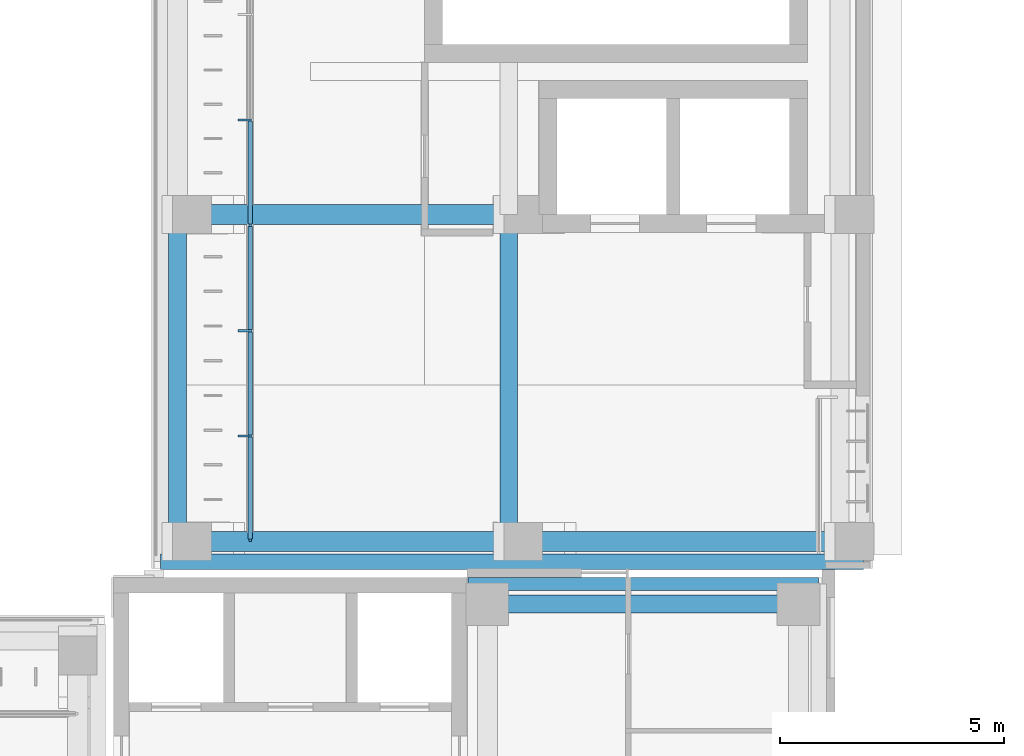
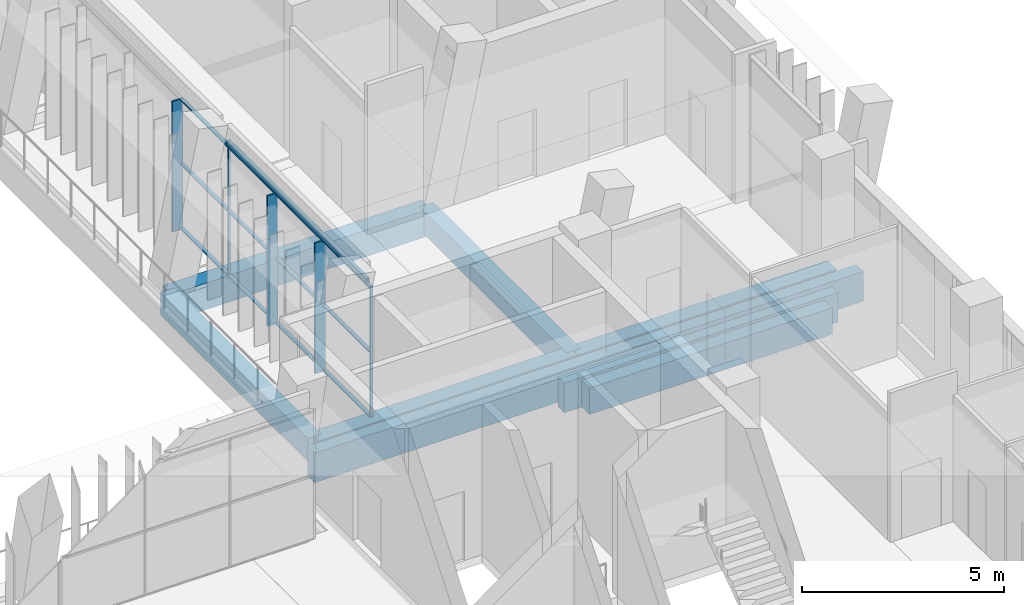
# One storey, part 39 of 92: 17 members, 9 beams, 1 element without a shape of its own.
"""IFC4 building model written with IfcOpenShell, lengths in metres."""

from ifc_helpers import new_model, si_unit, direction, frame, origin, origin_2d, place, context, subcontext, project, spatial, rectangle, hollow_rectangle, extrude, material, material_profile, profile_set, type_object, element, aggregate, save


model = new_model("IFC4")

# Units and contexts
model_context = context("Model", 3, precision=1e-05, world=origin(), true_north=direction((0.0, 1.0)))
body_context = subcontext(model_context, "Body", "Model", "MODEL_VIEW")
ifc_project = project(units=[si_unit("LENGTHUNIT", "METRE"), si_unit("AREAUNIT", "SQUARE_METRE"), si_unit("VOLUMEUNIT", "CUBIC_METRE"), si_unit("PLANEANGLEUNIT", "RADIAN"), si_unit("MASSUNIT", "GRAM", prefix="KILO")], contexts=[model_context])

# Site, building, storey
site_placement = place(None, origin())
site = spatial("IfcSite", under=ifc_project, at=site_placement, CompositionType="ELEMENT")
building_placement = place(site_placement, origin())
building = spatial("IfcBuilding", under=site, at=building_placement, Name="Lantern Court Media Centre", CompositionType="ELEMENT")
storey_placement = place(building_placement, frame((0.0, 0.0, 4.800048828125)))
storey = spatial("IfcBuildingStorey", under=building, at=storey_placement, Name="L01", CompositionType="ELEMENT", Elevation=4.800048828125)

# Curtain wall, members
ifc_material_1 = material(Name="Curtain wall bay 2400")
curtain_wall_type = type_object("IfcCurtainWallType", Name="Curtain wall bay 2400", PredefinedType="NOTDEFINED", material=ifc_material_1)
curtain_wall_placement = place(storey_placement, origin())
curtain_wall = element("IfcCurtainWall", 1, at=curtain_wall_placement, inside=storey, type_object=curtain_wall_type, Name="Curtain wall E inner L01", PredefinedType="NOTDEFINED")
ifc_material_2 = material(Name="Anodised aluminium", Category="aluminium")
ifc_material_profile_1 = material_profile(ifc_material_2, rectangle(XDim=0.300048828125, YDim=0.050048828125, at=origin_2d()), Name="AL 50x300")
ifc_profile_set_1 = profile_set([ifc_material_profile_1], Name="Anodised aluminium")
member_type_1 = type_object("IfcMemberType", Name="Curtain wall mullion 50x300", PredefinedType="MULLION", material=ifc_profile_set_1)
member_1_placement = place(storey_placement, frame((83.030029296875, 67.053955078125, 0.0), z_axis=(0.0, 0.0, 1.0), x_axis=(-1.0, 0.0, 0.0)))
member_1 = element("IfcMember", 2, at=member_1_placement, type_object=member_type_1, Name="CW2 mullion 2", PredefinedType="MULLION", context=body_context, shape_type="SweptSolid", body=[
    extrude(rectangle(XDim=0.300048828125, YDim=0.050048828125, at=origin_2d()), origin(), (0.0, 0.0, 1.0), 3.949951171875),
])
member_2_placement = place(storey_placement, frame((83.030029296875, 69.40771484375, 0.0), z_axis=(0.0, 0.0, 1.0), x_axis=(-1.0, 0.0, 0.0)))
member_2 = element("IfcMember", 3, at=member_2_placement, type_object=member_type_1, Name="CW2 mullion 3", PredefinedType="MULLION", context=body_context, shape_type="SweptSolid", body=[
    extrude(rectangle(XDim=0.300048828125, YDim=0.050048828125, at=origin_2d()), origin(), (0.0, 0.0, 1.0), 3.949951171875),
])
member_3_placement = place(storey_placement, frame((83.030029296875, 74.115478515625, 0.0), z_axis=(0.0, 0.0, 1.0), x_axis=(-1.0, 0.0, 0.0)))
member_3 = element("IfcMember", 4, at=member_3_placement, type_object=member_type_1, Name="CW2 mullion 5", PredefinedType="MULLION", context=body_context, shape_type="SweptSolid", body=[
    extrude(rectangle(XDim=0.300048828125, YDim=0.050048828125, at=origin_2d()), origin(), (0.0, 0.0, 1.0), 3.949951171875),
])
ifc_material_profile_2 = material_profile(ifc_material_2, rectangle(XDim=0.06005859375, YDim=0.050048828125, at=origin_2d()), Name="AL 50x60")
ifc_profile_set_2 = profile_set([ifc_material_profile_2], Name="Anodised aluminium")
member_type_2 = type_object("IfcMemberType", Name="Curtain wall mullion 50x60", PredefinedType="MULLION", material=ifc_profile_set_2)
member_4_placement = place(storey_placement, frame((83.14990234375, 64.72509765625, 0.0), z_axis=(0.0, 0.0, 1.0), x_axis=(-1.0, 0.0, 0.0)))
member_4 = element("IfcMember", 5, at=member_4_placement, type_object=member_type_2, Name="CW2 mullion 1", PredefinedType="MULLION", context=body_context, shape_type="SweptSolid", body=[
    extrude(rectangle(XDim=0.06005859375, YDim=0.050048828125, at=origin_2d()), origin(), (0.0, 0.0, 1.0), 3.949951171875),
])
member_5_placement = place(storey_placement, frame((83.14990234375, 71.761474609375, 0.0), z_axis=(0.0, 0.0, 1.0), x_axis=(-1.0, 0.0, 0.0)))
member_5 = element("IfcMember", 6, at=member_5_placement, type_object=member_type_2, Name="CW2 mullion 4", PredefinedType="MULLION", context=body_context, shape_type="SweptSolid", body=[
    extrude(rectangle(XDim=0.06005859375, YDim=0.050048828125, at=origin_2d()), origin(), (0.0, 0.0, 1.0), 3.949951171875),
])
ifc_material_profile_3 = material_profile(ifc_material_2, rectangle(XDim=0.10009765625, YDim=0.050048828125, at=origin_2d()), Name="AL 50x100")
ifc_profile_set_3 = profile_set([ifc_material_profile_3], Name="Anodised aluminium")
member_type_3 = type_object("IfcMemberType", Name="Curtain wall transom 100x50", PredefinedType="USERDEFINED", material=ifc_profile_set_3)
member_6_placement = place(storey_placement, frame((83.14990234375, 64.75, 0.02490234375), z_axis=(0.0, 1.0, 0.0), x_axis=(-1.0, 0.0, 0.0)))
member_6 = element("IfcMember", 7, at=member_6_placement, type_object=member_type_3, Name="CW2 transom 1.1", ObjectType="TRANSOM", PredefinedType="USERDEFINED", context=body_context, shape_type="SweptSolid", body=[
    extrude(rectangle(XDim=0.10009765625, YDim=0.050048828125, at=origin_2d()), origin(), (0.0, 0.0, 1.0), 2.27880859375),
])
member_7_placement = place(storey_placement, frame((83.14990234375, 64.75, 1.974853515625), z_axis=(0.0, 1.0, 0.0), x_axis=(-1.0, 0.0, 0.0)))
member_7 = element("IfcMember", 8, at=member_7_placement, type_object=member_type_3, Name="CW2 transom 1.2", ObjectType="TRANSOM", PredefinedType="USERDEFINED", context=body_context, shape_type="SweptSolid", body=[
    extrude(rectangle(XDim=0.10009765625, YDim=0.050048828125, at=origin_2d()), origin(), (0.0, 0.0, 1.0), 2.27880859375),
])
member_8_placement = place(storey_placement, frame((83.14990234375, 64.75, 3.925048828125), z_axis=(0.0, 1.0, 0.0), x_axis=(-1.0, 0.0, 0.0)))
member_8 = element("IfcMember", 9, at=member_8_placement, type_object=member_type_3, Name="CW2 transom 1.3", ObjectType="TRANSOM", PredefinedType="USERDEFINED", context=body_context, shape_type="SweptSolid", body=[
    extrude(rectangle(XDim=0.10009765625, YDim=0.050048828125, at=origin_2d()), origin(), (0.0, 0.0, 1.0), 2.27880859375),
])
member_9_placement = place(storey_placement, frame((83.14990234375, 67.078857421875, 0.02490234375), z_axis=(0.0, 1.0, 0.0), x_axis=(-1.0, 0.0, 0.0)))
member_9 = element("IfcMember", 10, at=member_9_placement, type_object=member_type_3, Name="CW2 transom 2.1", ObjectType="TRANSOM", PredefinedType="USERDEFINED", context=body_context, shape_type="SweptSolid", body=[
    extrude(rectangle(XDim=0.10009765625, YDim=0.050048828125, at=origin_2d()), origin(), (0.0, 0.0, 1.0), 2.303955078125),
])
member_10_placement = place(storey_placement, frame((83.14990234375, 67.078857421875, 1.974853515625), z_axis=(0.0, 1.0, 0.0), x_axis=(-1.0, 0.0, 0.0)))
member_10 = element("IfcMember", 11, at=member_10_placement, type_object=member_type_3, Name="CW2 transom 2.2", ObjectType="TRANSOM", PredefinedType="USERDEFINED", context=body_context, shape_type="SweptSolid", body=[
    extrude(rectangle(XDim=0.10009765625, YDim=0.050048828125, at=origin_2d()), origin(), (0.0, 0.0, 1.0), 2.303955078125),
])
member_11_placement = place(storey_placement, frame((83.14990234375, 67.078857421875, 3.925048828125), z_axis=(0.0, 1.0, 0.0), x_axis=(-1.0, 0.0, 0.0)))
member_11 = element("IfcMember", 12, at=member_11_placement, type_object=member_type_3, Name="CW2 transom 2.3", ObjectType="TRANSOM", PredefinedType="USERDEFINED", context=body_context, shape_type="SweptSolid", body=[
    extrude(rectangle(XDim=0.10009765625, YDim=0.050048828125, at=origin_2d()), origin(), (0.0, 0.0, 1.0), 2.303955078125),
])
member_12_placement = place(storey_placement, frame((83.14990234375, 69.4326171875, 0.02490234375), z_axis=(0.0, 1.0, 0.0), x_axis=(-1.0, 0.0, 0.0)))
member_12 = element("IfcMember", 13, at=member_12_placement, type_object=member_type_3, Name="CW2 transom 3.1", ObjectType="TRANSOM", PredefinedType="USERDEFINED", context=body_context, shape_type="SweptSolid", body=[
    extrude(rectangle(XDim=0.10009765625, YDim=0.050048828125, at=origin_2d()), origin(), (0.0, 0.0, 1.0), 2.303955078125),
])
member_13_placement = place(storey_placement, frame((83.14990234375, 69.4326171875, 1.974853515625), z_axis=(0.0, 1.0, 0.0), x_axis=(-1.0, 0.0, 0.0)))
member_13 = element("IfcMember", 14, at=member_13_placement, type_object=member_type_3, Name="CW2 transom 3.2", ObjectType="TRANSOM", PredefinedType="USERDEFINED", context=body_context, shape_type="SweptSolid", body=[
    extrude(rectangle(XDim=0.10009765625, YDim=0.050048828125, at=origin_2d()), origin(), (0.0, 0.0, 1.0), 2.303955078125),
])
member_14_placement = place(storey_placement, frame((83.14990234375, 69.4326171875, 3.925048828125), z_axis=(0.0, 1.0, 0.0), x_axis=(-1.0, 0.0, 0.0)))
member_14 = element("IfcMember", 15, at=member_14_placement, type_object=member_type_3, Name="CW2 transom 3.3", ObjectType="TRANSOM", PredefinedType="USERDEFINED", context=body_context, shape_type="SweptSolid", body=[
    extrude(rectangle(XDim=0.10009765625, YDim=0.050048828125, at=origin_2d()), origin(), (0.0, 0.0, 1.0), 2.303955078125),
])
member_15_placement = place(storey_placement, frame((83.14990234375, 71.78662109375, 0.02490234375), z_axis=(0.0, 1.0, 0.0), x_axis=(-1.0, 0.0, 0.0)))
member_15 = element("IfcMember", 16, at=member_15_placement, type_object=member_type_3, Name="CW2 transom 4.1", ObjectType="TRANSOM", PredefinedType="USERDEFINED", context=body_context, shape_type="SweptSolid", body=[
    extrude(rectangle(XDim=0.10009765625, YDim=0.050048828125, at=origin_2d()), origin(), (0.0, 0.0, 1.0), 2.3037109375),
])
member_16_placement = place(storey_placement, frame((83.14990234375, 71.78662109375, 1.974853515625), z_axis=(0.0, 1.0, 0.0), x_axis=(-1.0, 0.0, 0.0)))
member_16 = element("IfcMember", 17, at=member_16_placement, type_object=member_type_3, Name="CW2 transom 4.2", ObjectType="TRANSOM", PredefinedType="USERDEFINED", context=body_context, shape_type="SweptSolid", body=[
    extrude(rectangle(XDim=0.10009765625, YDim=0.050048828125, at=origin_2d()), origin(), (0.0, 0.0, 1.0), 2.3037109375),
])
member_17_placement = place(storey_placement, frame((83.14990234375, 71.78662109375, 3.925048828125), z_axis=(0.0, 1.0, 0.0), x_axis=(-1.0, 0.0, 0.0)))
member_17 = element("IfcMember", 18, at=member_17_placement, type_object=member_type_3, Name="CW2 transom 4.3", ObjectType="TRANSOM", PredefinedType="USERDEFINED", context=body_context, shape_type="SweptSolid", body=[
    extrude(rectangle(XDim=0.10009765625, YDim=0.050048828125, at=origin_2d()), origin(), (0.0, 0.0, 1.0), 2.3037109375),
])
aggregate(curtain_wall, [member_4, member_1, member_2, member_5, member_3, member_6, member_7, member_8, member_9, member_10, member_11, member_12, member_13, member_14, member_15, member_16, member_17])

# Beams
ifc_material_3 = material(Name="Steel S355J2 (EN 10025-2)", Category="steel")
ifc_material_profile_4 = material_profile(ifc_material_3, hollow_rectangle(XDim=0.10009765625, YDim=0.14990234375, WallThickness=0.00634765625, InnerFilletRadius=0.00634765625, OuterFilletRadius=0.009521484375, at=origin_2d()), Name="Facade head lintel RHS 150x100x6.3")
ifc_profile_set_4 = profile_set([ifc_material_profile_4], Name="Steel S355J2 (EN 10025-2)")
beam_type_1 = type_object("IfcBeamType", Name="Facade head lintel RHS 150x100x6.3", PredefinedType="BEAM", material=ifc_profile_set_4)
beam_1_placement = place(storey_placement, frame((83.14990234375, 64.89990234375, 4.02490234375), z_axis=(0.0, 1.0, 0.0), x_axis=(-1.0, 0.0, 0.0)))
element("IfcBeam", 19, at=beam_1_placement, inside=storey, type_object=beam_type_1, Name="Facade head lintel E L01", PredefinedType="BEAM", context=body_context, shape_type="SweptSolid", body=[
    extrude(hollow_rectangle(XDim=0.10009765625, YDim=0.14990234375, WallThickness=0.00634765625, InnerFilletRadius=0.00634765625, OuterFilletRadius=0.009521484375, at=origin_2d()), origin(), (0.0, 0.0, 1.0), 6.900146484375),
])
ifc_material_4 = material(Name="Concrete C35", Category="concrete")
ifc_material_profile_5 = material_profile(ifc_material_4, rectangle(XDim=0.300048828125, YDim=0.89990234375, at=origin_2d()), Name="RC 300x900")
ifc_profile_set_5 = profile_set([ifc_material_profile_5], Name="Concrete C35")
beam_type_2 = type_object("IfcBeamType", Name="RC BEAM 300x900", PredefinedType="BEAM", material=ifc_profile_set_5)
beam_2_placement = place(storey_placement, frame((88.02001953125, 63.75, -0.449951171875), z_axis=(1.0, 0.0, 0.0), x_axis=(0.0, 1.0, 0.0)))
element("IfcBeam", 20, at=beam_2_placement, inside=storey, type_object=beam_type_2, Name="EB-SE-L01-N", PredefinedType="BEAM", context=body_context, shape_type="SweptSolid", body=[
    extrude(rectangle(XDim=0.300048828125, YDim=0.89990234375, at=origin_2d()), origin(), (0.0, 0.0, 1.0), 7.830078125),
])
ifc_material_profile_6 = material_profile(ifc_material_4, rectangle(XDim=0.35009765625, YDim=0.89990234375, at=origin_2d()), Name="RC 350x900")
ifc_profile_set_6 = profile_set([ifc_material_profile_6], Name="Concrete C35")
beam_type_3 = type_object("IfcBeamType", Name="RC BEAM 350x900", PredefinedType="BEAM", material=ifc_profile_set_6)
beam_3_placement = place(storey_placement, frame((81.14990234375, 64.25, -0.449951171875), z_axis=(1.0, 0.0, 0.0), x_axis=(0.0, 1.0, 0.0)))
element("IfcBeam", 21, at=beam_3_placement, inside=storey, type_object=beam_type_3, Name="EB-E-L01-C", PredefinedType="BEAM", context=body_context, shape_type="SweptSolid", body=[
    extrude(rectangle(XDim=0.35009765625, YDim=0.89990234375, at=origin_2d()), origin(), (0.0, 0.0, 1.0), 15.7001953125),
])
ifc_material_profile_7 = material_profile(ifc_material_4, rectangle(XDim=0.39990234375, YDim=0.699951171875, at=origin_2d()), Name="RC 400x700")
ifc_profile_set_7 = profile_set([ifc_material_profile_7], Name="Concrete C35")
beam_type_4 = type_object("IfcBeamType", Name="RC BEAM 400x700", PredefinedType="BEAM", material=ifc_profile_set_7)
for number, where, z_axis, x_axis, name in (
    (22, (81.527099609375, 64.699951171875, -0.35009765625), (0.0, 1.0, 0.0), (-1.0, 0.0, 0.0), "LB-E-L01-0-0"),
    (23, (88.927001953125, 64.699951171875, -0.35009765625), (0.0, 1.0, 0.0), (-1.0, 0.0, 0.0), "LB-E-L01-1-0"),
):
    element("IfcBeam", number, at=place(storey_placement, frame(where, z_axis=z_axis, x_axis=x_axis)), inside=storey, type_object=beam_type_4, Name=name, PredefinedType="BEAM", context=body_context, shape_type="SweptSolid", body=[
        extrude(rectangle(XDim=0.39990234375, YDim=0.699951171875, at=origin_2d()), origin(), (0.0, 0.0, 1.0), 7.300048828125),
    ])
ifc_material_profile_8 = material_profile(ifc_material_4, rectangle(XDim=0.39990234375, YDim=0.800048828125, at=origin_2d()), Name="RC 400x800")
ifc_profile_set_8 = profile_set([ifc_material_profile_8], Name="Concrete C35")
beam_type_5 = type_object("IfcBeamType", Name="RC BEAM 400x800", PredefinedType="BEAM", material=ifc_profile_set_8)
beam_4_placement = place(storey_placement, frame((88.449951171875, 63.300048828125, -0.400146484375), z_axis=(1.0, 0.0, 0.0), x_axis=(0.0, 1.0, 0.0)))
element("IfcBeam", 24, at=beam_4_placement, inside=storey, type_object=beam_type_5, Name="BB-SE-L01-Y0-63", PredefinedType="BEAM", context=body_context, shape_type="SweptSolid", body=[
    extrude(rectangle(XDim=0.39990234375, YDim=0.800048828125, at=origin_2d()), origin(), (0.0, 0.0, 1.0), 6.949951171875),
])
ifc_material_profile_9 = material_profile(ifc_material_4, rectangle(XDim=0.449951171875, YDim=0.800048828125, at=origin_2d()), Name="RC 450x800")
ifc_profile_set_9 = profile_set([ifc_material_profile_9], Name="Concrete C35")
beam_type_6 = type_object("IfcBeamType", Name="RC BEAM 450x800", PredefinedType="BEAM", material=ifc_profile_set_9)
beam_5_placement = place(storey_placement, frame((81.5166015625, 64.699951171875, -0.400146484375), z_axis=(1.0, 0.0, 0.0), x_axis=(0.0, 1.0, 0.0)))
element("IfcBeam", 25, at=beam_5_placement, inside=storey, type_object=beam_type_6, Name="TB-E-L01-0-1", PredefinedType="BEAM", context=body_context, shape_type="SweptSolid", body=[
    extrude(rectangle(XDim=0.449951171875, YDim=0.800048828125, at=origin_2d()), origin(), (0.0, 0.0, 1.0), 7.400146484375),
])
beam_6_placement = place(storey_placement, frame((88.916748046875, 64.699951171875, -0.400146484375), z_axis=(1.0, 0.0, 0.0), x_axis=(0.0, 1.0, 0.0)))
element("IfcBeam", 26, at=beam_6_placement, inside=storey, type_object=beam_type_6, Name="TB-E-L01-0-2", PredefinedType="BEAM", context=body_context, shape_type="SweptSolid", body=[
    extrude(rectangle(XDim=0.449951171875, YDim=0.800048828125, at=origin_2d()), origin(), (0.0, 0.0, 1.0), 7.39990234375),
])
beam_7_placement = place(storey_placement, frame((81.5166015625, 72.0, -0.400146484375), z_axis=(1.0, 0.0, 0.0), x_axis=(0.0, 1.0, 0.0)))
element("IfcBeam", 27, at=beam_7_placement, inside=storey, type_object=beam_type_6, Name="TB-E-L01-1-1", PredefinedType="BEAM", context=body_context, shape_type="SweptSolid", body=[
    extrude(rectangle(XDim=0.449951171875, YDim=0.800048828125, at=origin_2d()), origin(), (0.0, 0.0, 1.0), 7.400146484375),
])

save(model, "model.ifc")
